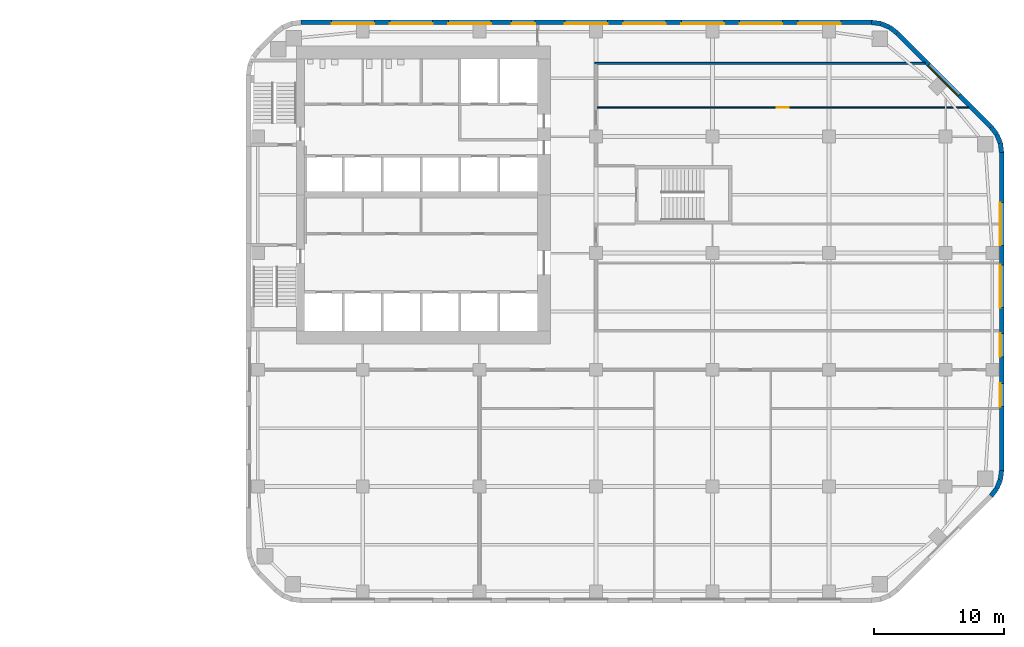
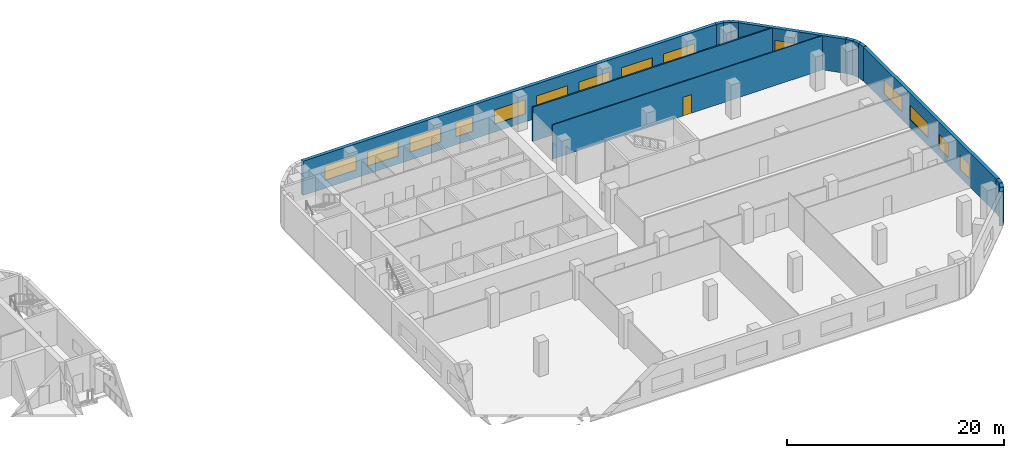
# One storey, part 12 of 16: 14 walls, 14 windows, 1 door, 15 openings.
"""IFC4 building model written with IfcOpenShell, lengths in metres."""

from ifc_helpers import new_model, si_unit, direction, frame, frame_2d, origin, place, context, subcontext, project, spatial, rectangle, extrude, material, layer, layer_set, type_object, element, fill, save


model = new_model("IFC4")

# Units and contexts
model_context = context("Model", 3, precision=1e-05, world=origin(), true_north=direction((0.0, 1.0)))
body_context = subcontext(model_context, "Body", "Model", "MODEL_VIEW")
ifc_project = project(units=[si_unit("LENGTHUNIT", "METRE"), si_unit("AREAUNIT", "SQUARE_METRE"), si_unit("VOLUMEUNIT", "CUBIC_METRE"), si_unit("PLANEANGLEUNIT", "RADIAN"), si_unit("MASSUNIT", "GRAM", prefix="KILO")], contexts=[model_context])

# Site, building, storey
site_placement = place(None, origin())
site = spatial("IfcSite", under=ifc_project, at=site_placement, CompositionType="ELEMENT")
building_placement = place(site_placement, origin())
building = spatial("IfcBuilding", under=site, at=building_placement, Name="Cinnabar Reach Civic Tower", CompositionType="ELEMENT")
storey_placement = place(building_placement, frame((0.0, 0.0, 38.0)))
storey = spatial("IfcBuildingStorey", under=building, at=storey_placement, Name="L08", CompositionType="ELEMENT", Elevation=38.0)

# Walls
ifc_material_1 = material(Name="Facing brick with insulated backing", Category="masonry")
ifc_layer_1 = layer(ifc_material_1, 0.36)
ifc_layer_set_1 = layer_set([ifc_layer_1], Name="Brick corner wall")
wall_type_1 = type_object("IfcWallType", Name="Brick corner wall", PredefinedType="STANDARD", material=ifc_layer_set_1)
wall_1_placement = place(storey_placement, frame((57.4998, 8.2587, 0.0), z_axis=(0.0, 0.0, 1.0), x_axis=(0.608802368033, 0.793321924995, 0.0)))
element("IfcWall", 1, at=wall_1_placement, inside=storey, type_object=wall_type_1, Name="Brick corner wall", PredefinedType="STANDARD", context=body_context, shape_type="SweptSolid", body=[
    extrude(rectangle(XDim=0.7132, YDim=0.36, at=frame_2d((0.3566, 0.0))), origin(), (0.0, 0.0, 1.0), 3.85),
])
for number, where, z_axis, x_axis, name in (
    (2, (57.9452, 8.8439, 0.0), (0.0, 0.0, 1.0), (0.382702709855, 0.923871547278, 0.0), "Brick corner wall"),
    (3, (58.2239, 9.5244, 0.0), (0.0, 0.0, 1.0), (0.13055608231, 0.99144092581, 0.0), "Brick corner wall"),
    (4, (58.317, 34.7686, 0.0), (0.0, 0.0, 1.0), (-0.13055608231, 0.99144092581, 0.0), "Brick corner wall"),
    (5, (58.2181, 35.4973, 0.0), (0.0, 0.0, 1.0), (-0.382702709855, 0.923871547278, 0.0), "Brick corner wall"),
):
    element("IfcWall", number, at=place(storey_placement, frame(where, z_axis=z_axis, x_axis=x_axis)), inside=storey, type_object=wall_type_1, Name=name, PredefinedType="STANDARD", context=body_context, shape_type="SweptSolid", body=[
        extrude(rectangle(XDim=0.7131, YDim=0.36, at=frame_2d((0.3565, 0.0))), origin(), (0.0, 0.0, 1.0), 3.85),
    ])
for number, where, z_axis, x_axis, name in (
    (6, (57.934, 36.1755, 0.0), (0.0, 0.0, 1.0), (-0.608802368033, 0.793321924995, 0.0), "Brick corner wall"),
    (7, (50.2413, 43.9998, 0.0), (0.0, 0.0, 1.0), (-0.793321924995, 0.608802368033, 0.0), "Brick corner wall"),
):
    element("IfcWall", number, at=place(storey_placement, frame(where, z_axis=z_axis, x_axis=x_axis)), inside=storey, type_object=wall_type_1, Name=name, PredefinedType="STANDARD", context=body_context, shape_type="SweptSolid", body=[
        extrude(rectangle(XDim=0.7132, YDim=0.36, at=frame_2d((0.3566, 0.0))), origin(), (0.0, 0.0, 1.0), 3.85),
    ])
for number, where, z_axis, x_axis, name in (
    (8, (49.6561, 44.4452, 0.0), (0.0, 0.0, 1.0), (-0.923871547278, 0.382702709855, 0.0), "Brick corner wall"),
    (9, (48.9756, 44.7239, 0.0), (0.0, 0.0, 1.0), (-0.99144092581, 0.13055608231, 0.0), "Brick corner wall"),
):
    element("IfcWall", number, at=place(storey_placement, frame(where, z_axis=z_axis, x_axis=x_axis)), inside=storey, type_object=wall_type_1, Name=name, PredefinedType="STANDARD", context=body_context, shape_type="SweptSolid", body=[
        extrude(rectangle(XDim=0.7131, YDim=0.36, at=frame_2d((0.3565, 0.0))), origin(), (0.0, 0.0, 1.0), 3.85),
    ])

# Wall, openings, windows
ifc_layer_2 = layer(ifc_material_1, 0.36)
ifc_layer_set_2 = layer_set([ifc_layer_2], Name="Brick pier and spandrel wall")
wall_type_2 = type_object("IfcWallType", Name="Brick pier and spandrel wall", PredefinedType="STANDARD", material=ifc_layer_set_2)
wall_2_placement = place(storey_placement, frame((58.32, 10.2426, 0.0), z_axis=(0.0, 0.0, 1.0), x_axis=(0.0, 1.0, 0.0)))
wall_2 = element("IfcWall", 10, at=wall_2_placement, inside=storey, type_object=wall_type_2, Name="Brick facade wall", PredefinedType="STANDARD", context=body_context, shape_type="SweptSolid", body=[
    extrude(rectangle(XDim=24.5148, YDim=0.36, at=frame_2d((12.2574, 0.0))), origin(), (0.0, 0.0, 1.0), 3.85),
])
opening_1_placement = place(wall_2_placement, frame((4.9074, 0.0, 0.9)))
opening_1 = element("IfcOpeningElement", 11, at=opening_1_placement, cuts=wall_2, Name="Opening W1088", PredefinedType="OPENING", context=body_context, shape_type="SweptSolid", body=[
    extrude(rectangle(XDim=1.8, YDim=1.6, at=frame_2d((0.9, 0.8))), frame((0.0, 0.19, 0.0), z_axis=(0.0, -1.0, 0.0), x_axis=(1.0, 0.0, 0.0)), (0.0, 0.0, 1.0), 0.38),
])
opening_2_placement = place(wall_2_placement, frame((8.7574, 0.0, 0.9)))
opening_2 = element("IfcOpeningElement", 12, at=opening_2_placement, cuts=wall_2, Name="Opening W1089", PredefinedType="OPENING", context=body_context, shape_type="SweptSolid", body=[
    extrude(rectangle(XDim=1.8, YDim=1.6, at=frame_2d((0.9, 0.8))), frame((0.0, 0.19, 0.0), z_axis=(0.0, -1.0, 0.0), x_axis=(1.0, 0.0, 0.0)), (0.0, 0.0, 1.0), 0.38),
])
opening_3_placement = place(wall_2_placement, frame((12.5574, 0.0, 0.9)))
opening_3 = element("IfcOpeningElement", 13, at=opening_3_placement, cuts=wall_2, Name="Opening W1090", PredefinedType="OPENING", context=body_context, shape_type="SweptSolid", body=[
    extrude(rectangle(XDim=3.3, YDim=1.6, at=frame_2d((1.65, 0.8))), frame((0.0, 0.19, 0.0), z_axis=(0.0, -1.0, 0.0), x_axis=(1.0, 0.0, 0.0)), (0.0, 0.0, 1.0), 0.38),
])
opening_4_placement = place(wall_2_placement, frame((17.3574, 0.0, 0.9)))
opening_4 = element("IfcOpeningElement", 14, at=opening_4_placement, cuts=wall_2, Name="Opening W1091", PredefinedType="OPENING", context=body_context, shape_type="SweptSolid", body=[
    extrude(rectangle(XDim=3.3, YDim=1.6, at=frame_2d((1.65, 0.8))), frame((0.0, 0.19, 0.0), z_axis=(0.0, -1.0, 0.0), x_axis=(1.0, 0.0, 0.0)), (0.0, 0.0, 1.0), 0.38),
])
ifc_material_2 = material(Name="Clear double glazing in aluminium frame", Category="aluminium")
window_type_1 = type_object("IfcWindowType", Name="Deep-set window A", PartitioningType="SINGLE_PANEL", PredefinedType="WINDOW", material=ifc_material_2)
window_1_placement = place(opening_3_placement, origin())
window_1 = element("IfcWindow", 15, at=window_1_placement, inside=storey, type_object=window_type_1, Name="Window east face", OverallHeight=1.6, OverallWidth=3.3, PartitioningType="SINGLE_PANEL", PredefinedType="WINDOW", context=body_context, shape_type="SweptSolid", body=[
    extrude(rectangle(XDim=3.3, YDim=1.6, at=frame_2d((1.65, 0.8))), frame((0.0, 0.13, 0.0), z_axis=(0.0, -1.0, 0.0), x_axis=(1.0, 0.0, 0.0)), (0.0, 0.0, 1.0), 0.06),
])
fill(opening_3, window_1)
window_2_placement = place(opening_4_placement, origin())
window_2 = element("IfcWindow", 16, at=window_2_placement, inside=storey, type_object=window_type_1, Name="Window east face", OverallHeight=1.6, OverallWidth=3.3, PartitioningType="SINGLE_PANEL", PredefinedType="WINDOW", context=body_context, shape_type="SweptSolid", body=[
    extrude(rectangle(XDim=3.3, YDim=1.6, at=frame_2d((1.65, 0.8))), frame((0.0, 0.13, 0.0), z_axis=(0.0, -1.0, 0.0), x_axis=(1.0, 0.0, 0.0)), (0.0, 0.0, 1.0), 0.06),
])
fill(opening_4, window_2)
window_type_2 = type_object("IfcWindowType", Name="Deep-set window D", PartitioningType="SINGLE_PANEL", PredefinedType="WINDOW", material=ifc_material_2)
window_3_placement = place(opening_1_placement, origin())
window_3 = element("IfcWindow", 17, at=window_3_placement, inside=storey, type_object=window_type_2, Name="Window east face", OverallHeight=1.6, OverallWidth=1.8, PartitioningType="SINGLE_PANEL", PredefinedType="WINDOW", context=body_context, shape_type="SweptSolid", body=[
    extrude(rectangle(XDim=1.8, YDim=1.6, at=frame_2d((0.9, 0.8))), frame((0.0, 0.13, 0.0), z_axis=(0.0, -1.0, 0.0), x_axis=(1.0, 0.0, 0.0)), (0.0, 0.0, 1.0), 0.06),
])
fill(opening_1, window_3)
window_4_placement = place(opening_2_placement, origin())
window_4 = element("IfcWindow", 18, at=window_4_placement, inside=storey, type_object=window_type_2, Name="Window east face", OverallHeight=1.6, OverallWidth=1.8, PartitioningType="SINGLE_PANEL", PredefinedType="WINDOW", context=body_context, shape_type="SweptSolid", body=[
    extrude(rectangle(XDim=1.8, YDim=1.6, at=frame_2d((0.9, 0.8))), frame((0.0, 0.13, 0.0), z_axis=(0.0, -1.0, 0.0), x_axis=(1.0, 0.0, 0.0)), (0.0, 0.0, 1.0), 0.06),
])
fill(opening_2, window_4)

# Wall, opening, window
wall_3_placement = place(storey_placement, frame((57.494, 36.7514, 0.0), z_axis=(0.0, 0.0, 1.0), x_axis=(-0.707106781187, 0.707106781187, 0.0)))
wall_3 = element("IfcWall", 19, at=wall_3_placement, inside=storey, type_object=wall_type_2, Name="Brick facade wall", PredefinedType="STANDARD", context=body_context, shape_type="SweptSolid", body=[
    extrude(rectangle(XDim=10.2426, YDim=0.36, at=frame_2d((5.1213, 0.0))), origin(), (0.0, 0.0, 1.0), 3.85),
])
opening_5_placement = place(wall_3_placement, frame((3.4713, 0.0, 0.9)))
opening_5 = element("IfcOpeningElement", 20, at=opening_5_placement, cuts=wall_3, Name="Opening W1092", PredefinedType="OPENING", context=body_context, shape_type="SweptSolid", body=[
    extrude(rectangle(XDim=3.3, YDim=1.6, at=frame_2d((1.65, 0.8))), frame((0.0, 0.19, 0.0), z_axis=(0.0, -1.0, 0.0), x_axis=(1.0, 0.0, 0.0)), (0.0, 0.0, 1.0), 0.38),
])
window_5_placement = place(opening_5_placement, origin())
window_5 = element("IfcWindow", 21, at=window_5_placement, inside=storey, type_object=window_type_1, Name="Window northeast face", OverallHeight=1.6, OverallWidth=3.3, PartitioningType="SINGLE_PANEL", PredefinedType="WINDOW", context=body_context, shape_type="SweptSolid", body=[
    extrude(rectangle(XDim=3.3, YDim=1.6, at=frame_2d((1.65, 0.8))), frame((0.0, 0.13, 0.0), z_axis=(0.0, -1.0, 0.0), x_axis=(1.0, 0.0, 0.0)), (0.0, 0.0, 1.0), 0.06),
])
fill(opening_5, window_5)

# Wall, openings, windows
wall_4_placement = place(storey_placement, frame((48.2574, 44.82, 0.0), z_axis=(0.0, 0.0, 1.0), x_axis=(-1.0, 0.0, 0.0)))
wall_4 = element("IfcWall", 22, at=wall_4_placement, inside=storey, type_object=wall_type_2, Name="Brick facade wall", PredefinedType="STANDARD", context=body_context, shape_type="SweptSolid", body=[
    extrude(rectangle(XDim=44.0148, YDim=0.36, at=frame_2d((22.0074, 0.0))), origin(), (0.0, 0.0, 1.0), 3.85),
])
opening_6_placement = place(wall_4_placement, frame((2.3574, 0.0, 0.9)))
opening_6 = element("IfcOpeningElement", 23, at=opening_6_placement, cuts=wall_4, Name="Opening W1093", PredefinedType="OPENING", context=body_context, shape_type="SweptSolid", body=[
    extrude(rectangle(XDim=3.3, YDim=1.6, at=frame_2d((1.65, 0.8))), frame((0.0, 0.19, 0.0), z_axis=(0.0, -1.0, 0.0), x_axis=(1.0, 0.0, 0.0)), (0.0, 0.0, 1.0), 0.38),
])
opening_7_placement = place(wall_4_placement, frame((6.8574, 0.0, 0.9)))
opening_7 = element("IfcOpeningElement", 24, at=opening_7_placement, cuts=wall_4, Name="Opening W1094", PredefinedType="OPENING", context=body_context, shape_type="SweptSolid", body=[
    extrude(rectangle(XDim=3.3, YDim=1.6, at=frame_2d((1.65, 0.8))), frame((0.0, 0.19, 0.0), z_axis=(0.0, -1.0, 0.0), x_axis=(1.0, 0.0, 0.0)), (0.0, 0.0, 1.0), 0.38),
])
opening_8_placement = place(wall_4_placement, frame((11.3574, 0.0, 0.9)))
opening_8 = element("IfcOpeningElement", 25, at=opening_8_placement, cuts=wall_4, Name="Opening W1095", PredefinedType="OPENING", context=body_context, shape_type="SweptSolid", body=[
    extrude(rectangle(XDim=3.3, YDim=1.6, at=frame_2d((1.65, 0.8))), frame((0.0, 0.19, 0.0), z_axis=(0.0, -1.0, 0.0), x_axis=(1.0, 0.0, 0.0)), (0.0, 0.0, 1.0), 0.38),
])
opening_9_placement = place(wall_4_placement, frame((15.8574, 0.0, 0.9)))
opening_9 = element("IfcOpeningElement", 26, at=opening_9_placement, cuts=wall_4, Name="Opening W1096", PredefinedType="OPENING", context=body_context, shape_type="SweptSolid", body=[
    extrude(rectangle(XDim=3.3, YDim=1.6, at=frame_2d((1.65, 0.8))), frame((0.0, 0.19, 0.0), z_axis=(0.0, -1.0, 0.0), x_axis=(1.0, 0.0, 0.0)), (0.0, 0.0, 1.0), 0.38),
])
opening_10_placement = place(wall_4_placement, frame((20.3574, 0.0, 0.9)))
opening_10 = element("IfcOpeningElement", 27, at=opening_10_placement, cuts=wall_4, Name="Opening W1097", PredefinedType="OPENING", context=body_context, shape_type="SweptSolid", body=[
    extrude(rectangle(XDim=3.3, YDim=1.6, at=frame_2d((1.65, 0.8))), frame((0.0, 0.19, 0.0), z_axis=(0.0, -1.0, 0.0), x_axis=(1.0, 0.0, 0.0)), (0.0, 0.0, 1.0), 0.38),
])
opening_11_placement = place(wall_4_placement, frame((25.9574, 0.0, 0.9)))
opening_11 = element("IfcOpeningElement", 28, at=opening_11_placement, cuts=wall_4, Name="Opening W1098", PredefinedType="OPENING", context=body_context, shape_type="SweptSolid", body=[
    extrude(rectangle(XDim=1.8, YDim=1.6, at=frame_2d((0.9, 0.8))), frame((0.0, 0.19, 0.0), z_axis=(0.0, -1.0, 0.0), x_axis=(1.0, 0.0, 0.0)), (0.0, 0.0, 1.0), 0.38),
])
opening_12_placement = place(wall_4_placement, frame((29.3574, 0.0, 0.9)))
opening_12 = element("IfcOpeningElement", 29, at=opening_12_placement, cuts=wall_4, Name="Opening W1099", PredefinedType="OPENING", context=body_context, shape_type="SweptSolid", body=[
    extrude(rectangle(XDim=3.3, YDim=1.6, at=frame_2d((1.65, 0.8))), frame((0.0, 0.19, 0.0), z_axis=(0.0, -1.0, 0.0), x_axis=(1.0, 0.0, 0.0)), (0.0, 0.0, 1.0), 0.38),
])
opening_13_placement = place(wall_4_placement, frame((33.8574, 0.0, 0.9)))
opening_13 = element("IfcOpeningElement", 30, at=opening_13_placement, cuts=wall_4, Name="Opening W1100", PredefinedType="OPENING", context=body_context, shape_type="SweptSolid", body=[
    extrude(rectangle(XDim=3.3, YDim=1.6, at=frame_2d((1.65, 0.8))), frame((0.0, 0.19, 0.0), z_axis=(0.0, -1.0, 0.0), x_axis=(1.0, 0.0, 0.0)), (0.0, 0.0, 1.0), 0.38),
])
opening_14_placement = place(wall_4_placement, frame((38.3574, 0.0, 0.9)))
opening_14 = element("IfcOpeningElement", 31, at=opening_14_placement, cuts=wall_4, Name="Opening W1101", PredefinedType="OPENING", context=body_context, shape_type="SweptSolid", body=[
    extrude(rectangle(XDim=3.3, YDim=1.6, at=frame_2d((1.65, 0.8))), frame((0.0, 0.19, 0.0), z_axis=(0.0, -1.0, 0.0), x_axis=(1.0, 0.0, 0.0)), (0.0, 0.0, 1.0), 0.38),
])
window_6_placement = place(opening_6_placement, origin())
window_6 = element("IfcWindow", 32, at=window_6_placement, inside=storey, type_object=window_type_1, Name="Window north face", OverallHeight=1.6, OverallWidth=3.3, PartitioningType="SINGLE_PANEL", PredefinedType="WINDOW", context=body_context, shape_type="SweptSolid", body=[
    extrude(rectangle(XDim=3.3, YDim=1.6, at=frame_2d((1.65, 0.8))), frame((0.0, 0.13, 0.0), z_axis=(0.0, -1.0, 0.0), x_axis=(1.0, 0.0, 0.0)), (0.0, 0.0, 1.0), 0.06),
])
fill(opening_6, window_6)
window_7_placement = place(opening_7_placement, origin())
window_7 = element("IfcWindow", 33, at=window_7_placement, inside=storey, type_object=window_type_1, Name="Window north face", OverallHeight=1.6, OverallWidth=3.3, PartitioningType="SINGLE_PANEL", PredefinedType="WINDOW", context=body_context, shape_type="SweptSolid", body=[
    extrude(rectangle(XDim=3.3, YDim=1.6, at=frame_2d((1.65, 0.8))), frame((0.0, 0.13, 0.0), z_axis=(0.0, -1.0, 0.0), x_axis=(1.0, 0.0, 0.0)), (0.0, 0.0, 1.0), 0.06),
])
fill(opening_7, window_7)
window_8_placement = place(opening_8_placement, origin())
window_8 = element("IfcWindow", 34, at=window_8_placement, inside=storey, type_object=window_type_1, Name="Window north face", OverallHeight=1.6, OverallWidth=3.3, PartitioningType="SINGLE_PANEL", PredefinedType="WINDOW", context=body_context, shape_type="SweptSolid", body=[
    extrude(rectangle(XDim=3.3, YDim=1.6, at=frame_2d((1.65, 0.8))), frame((0.0, 0.13, 0.0), z_axis=(0.0, -1.0, 0.0), x_axis=(1.0, 0.0, 0.0)), (0.0, 0.0, 1.0), 0.06),
])
fill(opening_8, window_8)
window_9_placement = place(opening_9_placement, origin())
window_9 = element("IfcWindow", 35, at=window_9_placement, inside=storey, type_object=window_type_1, Name="Window north face", OverallHeight=1.6, OverallWidth=3.3, PartitioningType="SINGLE_PANEL", PredefinedType="WINDOW", context=body_context, shape_type="SweptSolid", body=[
    extrude(rectangle(XDim=3.3, YDim=1.6, at=frame_2d((1.65, 0.8))), frame((0.0, 0.13, 0.0), z_axis=(0.0, -1.0, 0.0), x_axis=(1.0, 0.0, 0.0)), (0.0, 0.0, 1.0), 0.06),
])
fill(opening_9, window_9)
window_10_placement = place(opening_10_placement, origin())
window_10 = element("IfcWindow", 36, at=window_10_placement, inside=storey, type_object=window_type_1, Name="Window north face", OverallHeight=1.6, OverallWidth=3.3, PartitioningType="SINGLE_PANEL", PredefinedType="WINDOW", context=body_context, shape_type="SweptSolid", body=[
    extrude(rectangle(XDim=3.3, YDim=1.6, at=frame_2d((1.65, 0.8))), frame((0.0, 0.13, 0.0), z_axis=(0.0, -1.0, 0.0), x_axis=(1.0, 0.0, 0.0)), (0.0, 0.0, 1.0), 0.06),
])
fill(opening_10, window_10)
window_11_placement = place(opening_12_placement, origin())
window_11 = element("IfcWindow", 37, at=window_11_placement, inside=storey, type_object=window_type_1, Name="Window north face", OverallHeight=1.6, OverallWidth=3.3, PartitioningType="SINGLE_PANEL", PredefinedType="WINDOW", context=body_context, shape_type="SweptSolid", body=[
    extrude(rectangle(XDim=3.3, YDim=1.6, at=frame_2d((1.65, 0.8))), frame((0.0, 0.13, 0.0), z_axis=(0.0, -1.0, 0.0), x_axis=(1.0, 0.0, 0.0)), (0.0, 0.0, 1.0), 0.06),
])
fill(opening_12, window_11)
window_12_placement = place(opening_13_placement, origin())
window_12 = element("IfcWindow", 38, at=window_12_placement, inside=storey, type_object=window_type_1, Name="Window north face", OverallHeight=1.6, OverallWidth=3.3, PartitioningType="SINGLE_PANEL", PredefinedType="WINDOW", context=body_context, shape_type="SweptSolid", body=[
    extrude(rectangle(XDim=3.3, YDim=1.6, at=frame_2d((1.65, 0.8))), frame((0.0, 0.13, 0.0), z_axis=(0.0, -1.0, 0.0), x_axis=(1.0, 0.0, 0.0)), (0.0, 0.0, 1.0), 0.06),
])
fill(opening_13, window_12)
window_13_placement = place(opening_14_placement, origin())
window_13 = element("IfcWindow", 39, at=window_13_placement, inside=storey, type_object=window_type_1, Name="Window north face", OverallHeight=1.6, OverallWidth=3.3, PartitioningType="SINGLE_PANEL", PredefinedType="WINDOW", context=body_context, shape_type="SweptSolid", body=[
    extrude(rectangle(XDim=3.3, YDim=1.6, at=frame_2d((1.65, 0.8))), frame((0.0, 0.13, 0.0), z_axis=(0.0, -1.0, 0.0), x_axis=(1.0, 0.0, 0.0)), (0.0, 0.0, 1.0), 0.06),
])
fill(opening_14, window_13)
window_14_placement = place(opening_11_placement, origin())
window_14 = element("IfcWindow", 40, at=window_14_placement, inside=storey, type_object=window_type_2, Name="Window north face", OverallHeight=1.6, OverallWidth=1.8, PartitioningType="SINGLE_PANEL", PredefinedType="WINDOW", context=body_context, shape_type="SweptSolid", body=[
    extrude(rectangle(XDim=1.8, YDim=1.6, at=frame_2d((0.9, 0.8))), frame((0.0, 0.13, 0.0), z_axis=(0.0, -1.0, 0.0), x_axis=(1.0, 0.0, 0.0)), (0.0, 0.0, 1.0), 0.06),
])
fill(opening_11, window_14)

# Wall
ifc_material_3 = material(Name="Gypsum board on steel studs, double layer", Category="steel")
ifc_layer_3 = layer(ifc_material_3, 0.15)
ifc_layer_set_3 = layer_set([ifc_layer_3], Name="Corridor wall 150 T1")
wall_type_3 = type_object("IfcWallType", Name="Corridor wall 150 T1", PredefinedType="PARTITIONING", material=ifc_layer_set_3)
wall_5_placement = place(storey_placement, frame((26.925, 41.65, 0.0), z_axis=(0.0, 0.0, 1.0), x_axis=(1.0, 0.0, 0.0)))
element("IfcWall", 41, at=wall_5_placement, inside=storey, type_object=wall_type_3, Name="Corridor wall 27", PredefinedType="PARTITIONING", context=body_context, shape_type="SweptSolid", body=[
    extrude(rectangle(XDim=25.4909, YDim=0.15, at=frame_2d((12.7454, 0.0))), origin(), (0.0, 0.0, 1.0), 3.85),
])

# Wall, opening, door
ifc_material_4 = material(Name="Gypsum board on steel studs", Category="steel")
ifc_layer_4 = layer(ifc_material_4, 0.1)
ifc_layer_set_4 = layer_set([ifc_layer_4], Name="Partition wall 100 T1")
wall_type_4 = type_object("IfcWallType", Name="Partition wall 100 T1", PredefinedType="PARTITIONING", material=ifc_layer_set_4)
wall_6_placement = place(storey_placement, frame((27.075, 38.25, 0.0), z_axis=(0.0, 0.0, 1.0), x_axis=(1.0, 0.0, 0.0)))
wall_6 = element("IfcWall", 42, at=wall_6_placement, inside=storey, type_object=wall_type_4, Name="Partition wall 43", PredefinedType="PARTITIONING", context=body_context, shape_type="SweptSolid", body=[
    extrude(rectangle(XDim=28.7159, YDim=0.1, at=frame_2d((14.358, 0.0))), origin(), (0.0, 0.0, 1.0), 3.85),
])
opening_15_placement = place(wall_6_placement, frame((13.9, 0.0, 0.0)))
opening_15 = element("IfcOpeningElement", 43, at=opening_15_placement, cuts=wall_6, Name="Opening D3342", PredefinedType="OPENING", context=body_context, shape_type="SweptSolid", body=[
    extrude(rectangle(XDim=0.9, YDim=2.1, at=frame_2d((0.45, 1.05))), frame((0.0, 0.06, 0.0), z_axis=(0.0, -1.0, 0.0), x_axis=(1.0, 0.0, 0.0)), (0.0, 0.0, 1.0), 0.12),
])
ifc_material_5 = material(Name="Timber door leaf in steel frame", Category="steel")
door_type = type_object("IfcDoorType", Name="Single swing door 900 x 2100 T1", OperationType="SINGLE_SWING_LEFT", PredefinedType="DOOR", material=ifc_material_5)
door_placement = place(opening_15_placement, origin())
door = element("IfcDoor", 44, at=door_placement, inside=storey, type_object=door_type, Name="Door D3342", OperationType="SINGLE_SWING_LEFT", OverallHeight=2.1, OverallWidth=0.9, PredefinedType="DOOR", context=body_context, shape_type="SweptSolid", body=[
    extrude(rectangle(XDim=0.9, YDim=2.1, at=frame_2d((0.45, 1.05))), frame((0.0, 0.025, 0.0), z_axis=(0.0, -1.0, 0.0), x_axis=(1.0, 0.0, 0.0)), (0.0, 0.0, 1.0), 0.05),
])
fill(opening_15, door)

save(model, "model.ifc")
